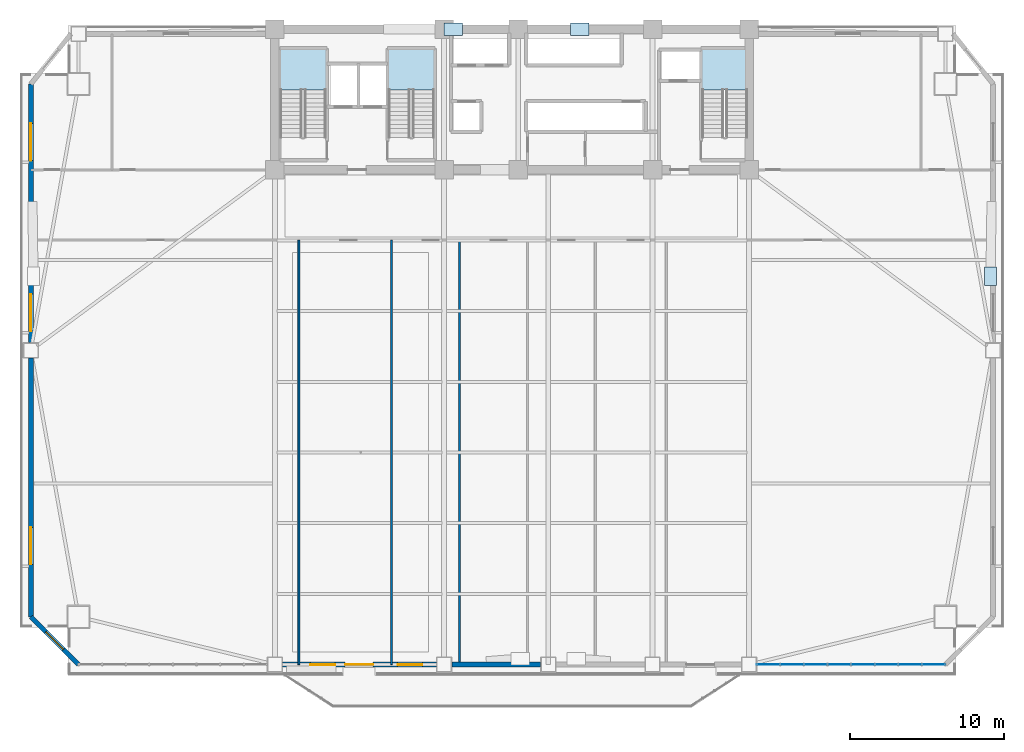
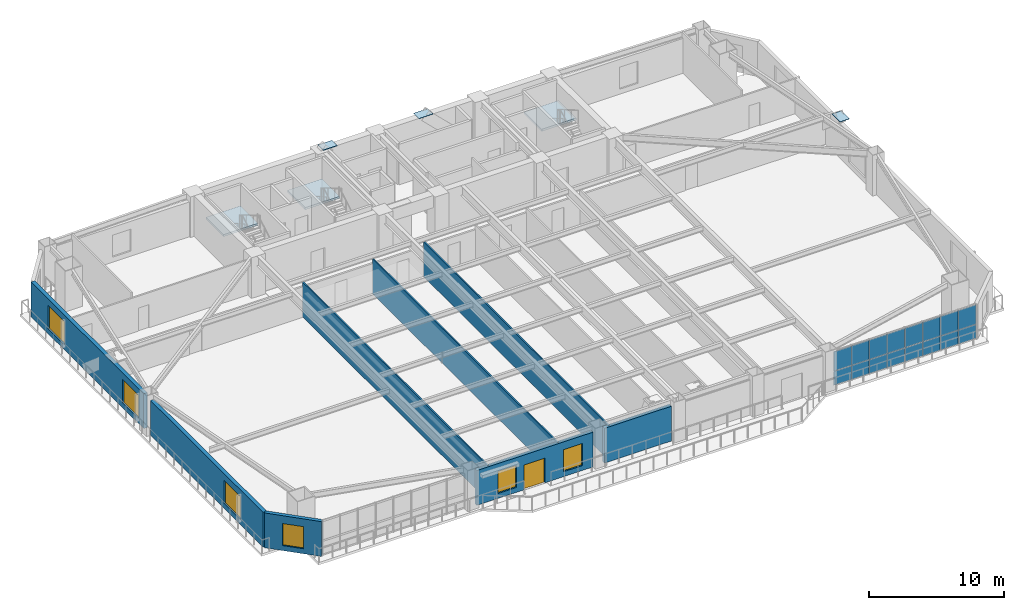
# One storey, part 7 of 16: 19 plates, 8 walls, 6 windows, 3 slabs, 1 door, 7 openings, 4 elements without a shape of their own.
"""IFC4 building model written with IfcOpenShell, lengths in metres."""

from ifc_helpers import new_model, si_unit, direction, frame, frame_2d, origin, origin_2d, place, context, subcontext, project, spatial, polyline, rectangle, outline, extrude, source, transform, mapped, material, layer, layer_set, type_object, element, fill, aggregate, save


model = new_model("IFC4")

# Units and contexts
model_context = context("Model", 3, precision=1e-05, world=origin(), true_north=direction((0.0, 1.0)))
body_context = subcontext(model_context, "Body", "Model", "MODEL_VIEW")
ifc_project = project(units=[si_unit("LENGTHUNIT", "METRE"), si_unit("AREAUNIT", "SQUARE_METRE"), si_unit("VOLUMEUNIT", "CUBIC_METRE"), si_unit("PLANEANGLEUNIT", "RADIAN"), si_unit("MASSUNIT", "GRAM", prefix="KILO")], contexts=[model_context])

# Site, building, storey
site_placement = place(None, origin())
site = spatial("IfcSite", under=ifc_project, at=site_placement, CompositionType="ELEMENT")
building_placement = place(site_placement, origin())
building = spatial("IfcBuilding", under=site, at=building_placement, Name="Giltprow Tower", CompositionType="ELEMENT")
storey_placement = place(building_placement, frame((0.0, 0.0, 79.60009765625)))
storey = spatial("IfcBuildingStorey", under=building, at=storey_placement, Name="L19", CompositionType="ELEMENT", Elevation=79.60009765625)

# Stair, slab
ifc_material_1 = material(Name="Concrete C40", Category="concrete")
stair_type_1 = type_object("IfcStairType", Name="STR-ST-1", PredefinedType="HALF_TURN_STAIR", material=ifc_material_1)
stair_1_placement = place(storey_placement, origin())
stair_1 = element("IfcStair", 1, at=stair_1_placement, inside=storey, type_object=stair_type_1, Name="L19 Core Exit Stair ST-1", PredefinedType="HALF_TURN_STAIR")
ifc_layer_1 = layer(ifc_material_1, 0.179931640625, Name="Concrete C40")
ifc_layer_set_1 = layer_set([ifc_layer_1], Name="Concrete C40")
slab_type_1 = type_object("IfcSlabType", Name="SLD-ST-1", PredefinedType="LANDING", material=ifc_layer_set_1)
slab_1_placement = place(storey_placement, frame((0.0, 0.0, 1.77001953125)))
slab_1 = element("IfcSlab", 2, at=slab_1_placement, type_object=slab_type_1, Name="ST-1 landing 1", PredefinedType="LANDING", context=body_context, shape_type="SweptSolid", body=[
    extrude(outline(polyline([(23.159912109375, 42.6298828125), (23.159912109375, 45.25), (20.199951171875, 45.25), (20.199951171875, 42.6298828125), (23.159912109375, 42.6298828125)])), origin(), (0.0, 0.0, 1.0), 0.179931640625),
])
aggregate(stair_1, [slab_1])

stair_type_2 = type_object("IfcStairType", Name="STR-ST-2", PredefinedType="HALF_TURN_STAIR", material=ifc_material_1)
stair_2_placement = place(storey_placement, origin())
stair_2 = element("IfcStair", 3, at=stair_2_placement, inside=storey, type_object=stair_type_2, Name="L19 Core Exit Stair ST-2", PredefinedType="HALF_TURN_STAIR")
ifc_layer_2 = layer(ifc_material_1, 0.18798828125, Name="Concrete C40")
ifc_layer_set_2 = layer_set([ifc_layer_2], Name="Concrete C40")
slab_type_2 = type_object("IfcSlabType", Name="SLD-ST-2", PredefinedType="LANDING", material=ifc_layer_set_2)
slab_2_placement = place(storey_placement, frame((0.0, 0.0, 1.761962890625)))
slab_2 = element("IfcSlab", 4, at=slab_2_placement, type_object=slab_type_2, Name="ST-2 landing 1", PredefinedType="LANDING", context=body_context, shape_type="SweptSolid", body=[
    extrude(outline(polyline([(30.159912109375, 42.6298828125), (30.159912109375, 45.25), (27.199951171875, 45.25), (27.199951171875, 42.6298828125), (30.159912109375, 42.6298828125)])), origin(), (0.0, 0.0, 1.0), 0.18798828125),
])
aggregate(stair_2, [slab_2])

stair_type_3 = type_object("IfcStairType", Name="STR-ST-3", PredefinedType="HALF_TURN_STAIR", material=ifc_material_1)
stair_3_placement = place(storey_placement, origin())
stair_3 = element("IfcStair", 5, at=stair_3_placement, inside=storey, type_object=stair_type_3, Name="L19 Core Exit Stair ST-3", PredefinedType="HALF_TURN_STAIR")
ifc_layer_3 = layer(ifc_material_1, 0.196044921875, Name="Concrete C40")
ifc_layer_set_3 = layer_set([ifc_layer_3], Name="Concrete C40")
slab_type_3 = type_object("IfcSlabType", Name="SLD-ST-3", PredefinedType="LANDING", material=ifc_layer_set_3)
slab_3_placement = place(storey_placement, frame((0.0, 0.0, 1.75390625)))
slab_3 = element("IfcSlab", 6, at=slab_3_placement, type_object=slab_type_3, Name="ST-3 landing 1", PredefinedType="LANDING", context=body_context, shape_type="SweptSolid", body=[
    extrude(outline(polyline([(50.4599609375, 42.6298828125), (50.4599609375, 45.25), (47.5, 45.25), (47.5, 42.6298828125), (50.4599609375, 42.6298828125)])), origin(), (0.0, 0.0, 1.0), 0.196044921875),
])
aggregate(stair_3, [slab_3])

# Plates
ifc_material_2 = material(Name="Structural steel Q420GJC", Category="steel")
plate_type_1 = type_object("IfcPlateType", Name="PLT-CAP-SEAL", PredefinedType="USERDEFINED", material=ifc_material_2)
shared_shape_1 = source(origin(), body_context, "Body", "SweptSolid", [
    extrude(rectangle(XDim=1.199951171875, YDim=0.800048828125, at=origin_2d()), origin(), (0.0, 0.0, 1.0), 0.034912109375),
])
for number, where, z_axis, x_axis, name in (
    (7, (31.39306640625, 46.550048828125, 3.74267578125), (0.0, 0.0, 1.0), (1.0, 0.0, 0.0), "Mega-Brace Node L19-N-LB"),
    (8, (39.593017578125, 46.550048828125, 3.74267578125), (0.0, 0.0, 1.0), (1.0, 0.0, 0.0), "Mega-Brace Node L19-N-RB"),
    (9, (66.18896484375, 30.554931640625, 3.88232421875), (0.0, 0.0, 1.0), (0.0, 1.0, 0.0), "Mega-Brace Node L19-E-RB"),
):
    element("IfcPlate", number, at=place(storey_placement, frame(where, z_axis=z_axis, x_axis=x_axis)), inside=storey, type_object=plate_type_1, Name=name, ObjectType="SPLICE", PredefinedType="USERDEFINED", context=body_context, shape_type="MappedRepresentation", body=[
        mapped(shared_shape_1, transform((0.0, 0.0, 0.0), x_axis=(1.0, 0.0, 0.0), y_axis=(0.0, 1.0, 0.0), z_axis=(0.0, 0.0, 1.0), scale=1.0)),
    ])

# Curtain wall, plates
ifc_material_3 = material(Name="Anodized bronze", Category="metal")
ifc_layer_4 = layer(ifc_material_3, 0.179931640625, Name="Anodized bronze")
ifc_layer_set_4 = layer_set([ifc_layer_4], Name="Anodized bronze")
curtain_wall_type = type_object("IfcCurtainWallType", Name="CW-OFF-RECESSED", PredefinedType="NOTDEFINED", material=ifc_layer_set_4)
curtain_wall_placement = place(storey_placement, origin())
curtain_wall = element("IfcCurtainWall", 10, at=curtain_wall_placement, inside=storey, type_object=curtain_wall_type, Name="L19 South Recessed Curtain Wall 6", PredefinedType="NOTDEFINED")
ifc_material_4 = material(Name="Insulated glass", Category="glass")
plate_type_2 = type_object("IfcPlateType", Name="CW-PANEL-IGU-28", PredefinedType="CURTAIN_PANEL", material=ifc_material_4)
shared_shape_2 = source(origin(), body_context, "Body", "SweptSolid", [
    extrude(rectangle(XDim=1.4970703125, YDim=0.028076171875, at=origin_2d()), origin(), (0.0, 0.0, 1.0), 1.259033203125),
])
plate_1_placement = place(storey_placement, frame((51.81298828125, 5.408935546875, 0.05419921875), z_axis=(0.0, 0.0, 1.0), x_axis=(1.0, 0.0, 0.0)))
plate_1 = element("IfcPlate", 11, at=plate_1_placement, type_object=plate_type_2, Name="L19 South Recessed Curtain Wall 6 Glazing Panel 1-1", PredefinedType="CURTAIN_PANEL", context=body_context, shape_type="MappedRepresentation", body=[
    mapped(shared_shape_2, transform((0.0, 0.0, 0.0), x_axis=(1.0, 0.0, 0.0), y_axis=(0.0, 1.0, 0.0), z_axis=(0.0, 0.0, 1.0), scale=1.0)),
])
plate_2_placement = place(storey_placement, frame((53.340087890625, 5.408935546875, 0.05419921875), z_axis=(0.0, 0.0, 1.0), x_axis=(1.0, 0.0, 0.0)))
plate_2 = element("IfcPlate", 12, at=plate_2_placement, type_object=plate_type_2, Name="L19 South Recessed Curtain Wall 6 Glazing Panel 2-1", PredefinedType="CURTAIN_PANEL", context=body_context, shape_type="MappedRepresentation", body=[
    mapped(shared_shape_2, transform((0.0, 0.0, 0.0), x_axis=(1.0, 0.0, 0.0), y_axis=(0.0, 1.0, 0.0), z_axis=(0.0, 0.0, 1.0), scale=1.0)),
])
plate_3_placement = place(storey_placement, frame((54.866943359375, 5.408935546875, 0.05419921875), z_axis=(0.0, 0.0, 1.0), x_axis=(1.0, 0.0, 0.0)))
plate_3 = element("IfcPlate", 13, at=plate_3_placement, type_object=plate_type_2, Name="L19 South Recessed Curtain Wall 6 Glazing Panel 3-1", PredefinedType="CURTAIN_PANEL", context=body_context, shape_type="MappedRepresentation", body=[
    mapped(shared_shape_2, transform((0.0, 0.0, 0.0), x_axis=(1.0, 0.0, 0.0), y_axis=(0.0, 1.0, 0.0), z_axis=(0.0, 0.0, 1.0), scale=1.0)),
])
plate_4_placement = place(storey_placement, frame((56.39404296875, 5.408935546875, 0.05419921875), z_axis=(0.0, 0.0, 1.0), x_axis=(1.0, 0.0, 0.0)))
plate_4 = element("IfcPlate", 14, at=plate_4_placement, type_object=plate_type_2, Name="L19 South Recessed Curtain Wall 6 Glazing Panel 4-1", PredefinedType="CURTAIN_PANEL", context=body_context, shape_type="MappedRepresentation", body=[
    mapped(shared_shape_2, transform((0.0, 0.0, 0.0), x_axis=(1.0, 0.0, 0.0), y_axis=(0.0, 1.0, 0.0), z_axis=(0.0, 0.0, 1.0), scale=1.0)),
])
plate_5_placement = place(storey_placement, frame((57.9208984375, 5.408935546875, 0.05419921875), z_axis=(0.0, 0.0, 1.0), x_axis=(1.0, 0.0, 0.0)))
plate_5 = element("IfcPlate", 15, at=plate_5_placement, type_object=plate_type_2, Name="L19 South Recessed Curtain Wall 6 Glazing Panel 5-1", PredefinedType="CURTAIN_PANEL", context=body_context, shape_type="MappedRepresentation", body=[
    mapped(shared_shape_2, transform((0.0, 0.0, 0.0), x_axis=(1.0, 0.0, 0.0), y_axis=(0.0, 1.0, 0.0), z_axis=(0.0, 0.0, 1.0), scale=1.0)),
])
plate_6_placement = place(storey_placement, frame((59.447998046875, 5.408935546875, 0.05419921875), z_axis=(0.0, 0.0, 1.0), x_axis=(1.0, 0.0, 0.0)))
plate_6 = element("IfcPlate", 16, at=plate_6_placement, type_object=plate_type_2, Name="L19 South Recessed Curtain Wall 6 Glazing Panel 6-1", PredefinedType="CURTAIN_PANEL", context=body_context, shape_type="MappedRepresentation", body=[
    mapped(shared_shape_2, transform((0.0, 0.0, 0.0), x_axis=(1.0, 0.0, 0.0), y_axis=(0.0, 1.0, 0.0), z_axis=(0.0, 0.0, 1.0), scale=1.0)),
])
plate_7_placement = place(storey_placement, frame((60.97509765625, 5.408935546875, 0.05419921875), z_axis=(0.0, 0.0, 1.0), x_axis=(1.0, 0.0, 0.0)))
plate_7 = element("IfcPlate", 17, at=plate_7_placement, type_object=plate_type_2, Name="L19 South Recessed Curtain Wall 6 Glazing Panel 7-1", PredefinedType="CURTAIN_PANEL", context=body_context, shape_type="MappedRepresentation", body=[
    mapped(shared_shape_2, transform((0.0, 0.0, 0.0), x_axis=(1.0, 0.0, 0.0), y_axis=(0.0, 1.0, 0.0), z_axis=(0.0, 0.0, 1.0), scale=1.0)),
])
plate_8_placement = place(storey_placement, frame((62.501953125, 5.408935546875, 0.05419921875), z_axis=(0.0, 0.0, 1.0), x_axis=(1.0, 0.0, 0.0)))
plate_8 = element("IfcPlate", 18, at=plate_8_placement, type_object=plate_type_2, Name="L19 South Recessed Curtain Wall 6 Glazing Panel 8-1", PredefinedType="CURTAIN_PANEL", context=body_context, shape_type="MappedRepresentation", body=[
    mapped(shared_shape_2, transform((0.0, 0.0, 0.0), x_axis=(1.0, 0.0, 0.0), y_axis=(0.0, 1.0, 0.0), z_axis=(0.0, 0.0, 1.0), scale=1.0)),
])
shared_shape_3 = source(origin(), body_context, "Body", "SweptSolid", [
    extrude(rectangle(XDim=1.4970703125, YDim=0.028076171875, at=origin_2d()), origin(), (0.0, 0.0, 1.0), 1.764892578125),
])
plate_9_placement = place(storey_placement, frame((51.81298828125, 5.408935546875, 1.34033203125), z_axis=(0.0, 0.0, 1.0), x_axis=(1.0, 0.0, 0.0)))
plate_9 = element("IfcPlate", 19, at=plate_9_placement, type_object=plate_type_2, Name="L19 South Recessed Curtain Wall 6 Glazing Panel 1-2", PredefinedType="CURTAIN_PANEL", context=body_context, shape_type="MappedRepresentation", body=[
    mapped(shared_shape_3, transform((0.0, 0.0, 0.0), x_axis=(1.0, 0.0, 0.0), y_axis=(0.0, 1.0, 0.0), z_axis=(0.0, 0.0, 1.0), scale=1.0)),
])
plate_10_placement = place(storey_placement, frame((53.340087890625, 5.408935546875, 1.34033203125), z_axis=(0.0, 0.0, 1.0), x_axis=(1.0, 0.0, 0.0)))
plate_10 = element("IfcPlate", 20, at=plate_10_placement, type_object=plate_type_2, Name="L19 South Recessed Curtain Wall 6 Glazing Panel 2-2", PredefinedType="CURTAIN_PANEL", context=body_context, shape_type="MappedRepresentation", body=[
    mapped(shared_shape_3, transform((0.0, 0.0, 0.0), x_axis=(1.0, 0.0, 0.0), y_axis=(0.0, 1.0, 0.0), z_axis=(0.0, 0.0, 1.0), scale=1.0)),
])
plate_11_placement = place(storey_placement, frame((54.866943359375, 5.408935546875, 1.34033203125), z_axis=(0.0, 0.0, 1.0), x_axis=(1.0, 0.0, 0.0)))
plate_11 = element("IfcPlate", 21, at=plate_11_placement, type_object=plate_type_2, Name="L19 South Recessed Curtain Wall 6 Glazing Panel 3-2", PredefinedType="CURTAIN_PANEL", context=body_context, shape_type="MappedRepresentation", body=[
    mapped(shared_shape_3, transform((0.0, 0.0, 0.0), x_axis=(1.0, 0.0, 0.0), y_axis=(0.0, 1.0, 0.0), z_axis=(0.0, 0.0, 1.0), scale=1.0)),
])
plate_12_placement = place(storey_placement, frame((56.39404296875, 5.408935546875, 1.34033203125), z_axis=(0.0, 0.0, 1.0), x_axis=(1.0, 0.0, 0.0)))
plate_12 = element("IfcPlate", 22, at=plate_12_placement, type_object=plate_type_2, Name="L19 South Recessed Curtain Wall 6 Glazing Panel 4-2", PredefinedType="CURTAIN_PANEL", context=body_context, shape_type="MappedRepresentation", body=[
    mapped(shared_shape_3, transform((0.0, 0.0, 0.0), x_axis=(1.0, 0.0, 0.0), y_axis=(0.0, 1.0, 0.0), z_axis=(0.0, 0.0, 1.0), scale=1.0)),
])
plate_13_placement = place(storey_placement, frame((57.9208984375, 5.408935546875, 1.34033203125), z_axis=(0.0, 0.0, 1.0), x_axis=(1.0, 0.0, 0.0)))
plate_13 = element("IfcPlate", 23, at=plate_13_placement, type_object=plate_type_2, Name="L19 South Recessed Curtain Wall 6 Glazing Panel 5-2", PredefinedType="CURTAIN_PANEL", context=body_context, shape_type="MappedRepresentation", body=[
    mapped(shared_shape_3, transform((0.0, 0.0, 0.0), x_axis=(1.0, 0.0, 0.0), y_axis=(0.0, 1.0, 0.0), z_axis=(0.0, 0.0, 1.0), scale=1.0)),
])
plate_14_placement = place(storey_placement, frame((59.447998046875, 5.408935546875, 1.34033203125), z_axis=(0.0, 0.0, 1.0), x_axis=(1.0, 0.0, 0.0)))
plate_14 = element("IfcPlate", 24, at=plate_14_placement, type_object=plate_type_2, Name="L19 South Recessed Curtain Wall 6 Glazing Panel 6-2", PredefinedType="CURTAIN_PANEL", context=body_context, shape_type="MappedRepresentation", body=[
    mapped(shared_shape_3, transform((0.0, 0.0, 0.0), x_axis=(1.0, 0.0, 0.0), y_axis=(0.0, 1.0, 0.0), z_axis=(0.0, 0.0, 1.0), scale=1.0)),
])
plate_15_placement = place(storey_placement, frame((60.97509765625, 5.408935546875, 1.34033203125), z_axis=(0.0, 0.0, 1.0), x_axis=(1.0, 0.0, 0.0)))
plate_15 = element("IfcPlate", 25, at=plate_15_placement, type_object=plate_type_2, Name="L19 South Recessed Curtain Wall 6 Glazing Panel 7-2", PredefinedType="CURTAIN_PANEL", context=body_context, shape_type="MappedRepresentation", body=[
    mapped(shared_shape_3, transform((0.0, 0.0, 0.0), x_axis=(1.0, 0.0, 0.0), y_axis=(0.0, 1.0, 0.0), z_axis=(0.0, 0.0, 1.0), scale=1.0)),
])
plate_16_placement = place(storey_placement, frame((62.501953125, 5.408935546875, 1.34033203125), z_axis=(0.0, 0.0, 1.0), x_axis=(1.0, 0.0, 0.0)))
plate_16 = element("IfcPlate", 26, at=plate_16_placement, type_object=plate_type_2, Name="L19 South Recessed Curtain Wall 6 Glazing Panel 8-2", PredefinedType="CURTAIN_PANEL", context=body_context, shape_type="MappedRepresentation", body=[
    mapped(shared_shape_3, transform((0.0, 0.0, 0.0), x_axis=(1.0, 0.0, 0.0), y_axis=(0.0, 1.0, 0.0), z_axis=(0.0, 0.0, 1.0), scale=1.0)),
])
aggregate(curtain_wall, [plate_1, plate_9, plate_2, plate_10, plate_3, plate_11, plate_4, plate_12, plate_5, plate_13, plate_6, plate_14, plate_7, plate_15, plate_8, plate_16])

# Wall, opening, window
ifc_material_5 = material(Name="Precast concrete C40", Category="concrete")
ifc_layer_5 = layer(ifc_material_5, 0.300048828125, Name="Precast concrete C40")
ifc_layer_set_5 = layer_set([ifc_layer_5], Name="Precast concrete C40")
wall_type_1 = type_object("IfcWallType", Name="EW-NOTCH-CHAMFER-300", PredefinedType="SOLIDWALL", material=ifc_layer_set_5)
wall_1_placement = place(storey_placement, frame((4.0400390625, 8.5048828125, 0.0), z_axis=(0.0, 0.0, 1.0), x_axis=(0.707106781187, -0.707106781187, 0.0)))
wall_1 = element("IfcWall", 27, at=wall_1_placement, inside=storey, type_object=wall_type_1, Name="L19 Corner Notch Wall SW", PredefinedType="SOLIDWALL", context=body_context, shape_type="SweptSolid", body=[
    extrude(rectangle(XDim=4.37841796875, YDim=0.300048828125, at=frame_2d((2.189208984375, 0.0))), origin(), (0.0, 0.0, 1.0), 3.159912109375),
])
opening_1_placement = place(wall_1_placement, frame((1.388916015625, 0.0, 0.449951171875)))
opening_1 = element("IfcOpeningElement", 28, at=opening_1_placement, cuts=wall_1, Name="Opening WN17", PredefinedType="OPENING", context=body_context, shape_type="SweptSolid", body=[
    extrude(rectangle(XDim=1.60009765625, YDim=2.0, at=frame_2d((0.800048828125, 1.0))), frame((0.0, 0.159912109375, 0.0), z_axis=(0.0, -1.0, 0.0), x_axis=(1.0, 0.0, 0.0)), (0.0, 0.0, 1.0), 0.320068359375),
])
window_type_1 = type_object("IfcWindowType", Name="WN-COR-1600x2000", PartitioningType="SINGLE_PANEL", PredefinedType="WINDOW", material=ifc_material_4)
shared_shape_4 = source(origin(), body_context, "Body", "SweptSolid", [
    extrude(rectangle(XDim=1.60009765625, YDim=2.0, at=frame_2d((0.800048828125, 1.0))), frame((0.0, 0.030029296875, 0.0), z_axis=(0.0, -1.0, 0.0), x_axis=(1.0, 0.0, 0.0)), (0.0, 0.0, 1.0), 0.06005859375),
])
window_1_placement = place(opening_1_placement, origin())
window_1 = element("IfcWindow", 29, at=window_1_placement, inside=storey, type_object=window_type_1, Name="L19 Corner Notch Window SW", OverallHeight=2.0, OverallWidth=1.60009765625, PartitioningType="SINGLE_PANEL", PredefinedType="WINDOW", context=body_context, shape_type="MappedRepresentation", body=[
    mapped(shared_shape_4, transform((0.0, 0.0, 0.0), x_axis=(1.0, 0.0, 0.0), y_axis=(0.0, 1.0, 0.0), z_axis=(0.0, 0.0, 1.0), scale=1.0)),
])
fill(opening_1, window_1)

# Wall, openings, windows, door
ifc_layer_6 = layer(ifc_material_5, 0.320068359375, Name="Precast concrete C40")
ifc_layer_set_6 = layer_set([ifc_layer_6], Name="Precast concrete C40")
wall_type_2 = type_object("IfcWallType", Name="EW-TOW-STONE-320", PredefinedType="SOLIDWALL", material=ifc_layer_set_6)
wall_2_placement = place(storey_placement, frame((20.35009765625, 5.408935546875, 0.0), z_axis=(0.0, 0.0, 1.0), x_axis=(1.0, 0.0, 0.0)))
wall_2 = element("IfcWall", 30, at=wall_2_placement, inside=storey, type_object=wall_type_2, Name="L19 South Expressed Frame Wall 2", PredefinedType="SOLIDWALL", context=body_context, shape_type="SweptSolid", body=[
    extrude(rectangle(XDim=9.949951171875, YDim=0.320068359375, at=frame_2d((4.97509765625, 0.0))), origin(), (0.0, 0.0, 1.0), 3.159912109375),
])
opening_2_placement = place(wall_2_placement, frame((4.050048828125, 0.0, 0.0)))
opening_2 = element("IfcOpeningElement", 31, at=opening_2_placement, cuts=wall_2, Name="Opening ED25", PredefinedType="OPENING", context=body_context, shape_type="SweptSolid", body=[
    extrude(rectangle(XDim=1.800048828125, YDim=2.25, at=frame_2d((0.89990234375, 1.125))), frame((0.0, 0.169921875, 0.0), z_axis=(0.0, -1.0, 0.0), x_axis=(1.0, 0.0, 0.0)), (0.0, 0.0, 1.0), 0.340087890625),
])
opening_3_placement = place(wall_2_placement, frame((1.794921875, 0.0, 0.449951171875)))
opening_3 = element("IfcOpeningElement", 32, at=opening_3_placement, cuts=wall_2, Name="Opening WN17", PredefinedType="OPENING", context=body_context, shape_type="SweptSolid", body=[
    extrude(rectangle(XDim=1.60009765625, YDim=2.0, at=frame_2d((0.800048828125, 1.0))), frame((0.0, 0.169921875, 0.0), z_axis=(0.0, -1.0, 0.0), x_axis=(1.0, 0.0, 0.0)), (0.0, 0.0, 1.0), 0.340087890625),
])
opening_4_placement = place(wall_2_placement, frame((7.449951171875, 0.0, 0.449951171875)))
opening_4 = element("IfcOpeningElement", 33, at=opening_4_placement, cuts=wall_2, Name="Opening WN17", PredefinedType="OPENING", context=body_context, shape_type="SweptSolid", body=[
    extrude(rectangle(XDim=1.60009765625, YDim=2.0, at=frame_2d((0.800048828125, 1.0))), frame((0.0, 0.169921875, 0.0), z_axis=(0.0, -1.0, 0.0), x_axis=(1.0, 0.0, 0.0)), (0.0, 0.0, 1.0), 0.340087890625),
])
window_2_placement = place(opening_3_placement, origin())
window_2 = element("IfcWindow", 34, at=window_2_placement, inside=storey, type_object=window_type_1, Name="L19 South Window 2A", OverallHeight=2.0, OverallWidth=1.60009765625, PartitioningType="SINGLE_PANEL", PredefinedType="WINDOW", context=body_context, shape_type="MappedRepresentation", body=[
    mapped(shared_shape_4, transform((0.0, 0.0, 0.0), x_axis=(1.0, 0.0, 0.0), y_axis=(0.0, 1.0, 0.0), z_axis=(0.0, 0.0, 1.0), scale=1.0)),
])
fill(opening_3, window_2)
window_3_placement = place(opening_4_placement, origin())
window_3 = element("IfcWindow", 35, at=window_3_placement, inside=storey, type_object=window_type_1, Name="L19 South Window 2B", OverallHeight=2.0, OverallWidth=1.60009765625, PartitioningType="SINGLE_PANEL", PredefinedType="WINDOW", context=body_context, shape_type="MappedRepresentation", body=[
    mapped(shared_shape_4, transform((0.0, 0.0, 0.0), x_axis=(1.0, 0.0, 0.0), y_axis=(0.0, 1.0, 0.0), z_axis=(0.0, 0.0, 1.0), scale=1.0)),
])
fill(opening_4, window_3)
ifc_material_6 = material(Name="Anodized bronze and glass", Category="glass")
door_type = type_object("IfcDoorType", Name="DR-BALC-SLIDE-1800", OperationType="SLIDING_TO_LEFT", PredefinedType="DOOR", material=ifc_material_6)
shared_shape_5 = source(origin(), body_context, "Body", "SweptSolid", [
    extrude(rectangle(XDim=1.800048828125, YDim=2.25, at=frame_2d((0.89990234375, 1.125))), frame((0.0, 0.02490234375, 0.0), z_axis=(0.0, -1.0, 0.0), x_axis=(1.0, 0.0, 0.0)), (0.0, 0.0, 1.0), 0.050048828125),
])
door_placement = place(opening_2_placement, origin())
door = element("IfcDoor", 36, at=door_placement, inside=storey, type_object=door_type, Name="L19 Waterfront Balcony Sliding Door 1", OperationType="SLIDING_TO_LEFT", OverallHeight=2.25, OverallWidth=1.800048828125, PredefinedType="DOOR", context=body_context, shape_type="MappedRepresentation", body=[
    mapped(shared_shape_5, transform((0.0, 0.0, 0.0), x_axis=(1.0, 0.0, 0.0), y_axis=(0.0, 1.0, 0.0), z_axis=(0.0, 0.0, 1.0), scale=1.0)),
])
fill(opening_2, door)

# Wall
wall_3_placement = place(storey_placement, frame((31.300048828125, 5.408935546875, 0.0), z_axis=(0.0, 0.0, 1.0), x_axis=(1.0, 0.0, 0.0)))
element("IfcWall", 37, at=wall_3_placement, inside=storey, type_object=wall_type_2, Name="L19 South Expressed Frame Wall 3", PredefinedType="SOLIDWALL", context=body_context, shape_type="SweptSolid", body=[
    extrude(rectangle(XDim=5.75, YDim=0.320068359375, at=frame_2d((2.875, 0.0))), origin(), (0.0, 0.0, 1.0), 3.159912109375),
])

# Wall, opening, window
wall_4_placement = place(storey_placement, frame((4.0400390625, 8.5048828125, 0.0), z_axis=(0.0, 0.0, 1.0), x_axis=(0.0, 1.0, 0.0)))
wall_4 = element("IfcWall", 38, at=wall_4_placement, inside=storey, type_object=wall_type_2, Name="L19 W Wing Masonry Wall 1", PredefinedType="SOLIDWALL", context=body_context, shape_type="SweptSolid", body=[
    extrude(rectangle(XDim=16.75, YDim=0.320068359375, at=frame_2d((8.375, 0.0))), origin(), (0.0, 0.0, 1.0), 3.159912109375),
])
opening_5_placement = place(wall_4_placement, frame((3.39501953125, 0.0, 0.449951171875)))
opening_5 = element("IfcOpeningElement", 39, at=opening_5_placement, cuts=wall_4, Name="Opening WN29", PredefinedType="OPENING", context=body_context, shape_type="SweptSolid", body=[
    extrude(rectangle(XDim=2.39990234375, YDim=2.10009765625, at=frame_2d((1.199951171875, 1.050048828125))), frame((0.0, 0.169921875, 0.0), z_axis=(0.0, -1.0, 0.0), x_axis=(1.0, 0.0, 0.0)), (0.0, 0.0, 1.0), 0.340087890625),
])
window_type_2 = type_object("IfcWindowType", Name="WN-OFF-2400x2100", PartitioningType="DOUBLE_PANEL_VERTICAL", PredefinedType="WINDOW", material=ifc_material_4)
shared_shape_6 = source(origin(), body_context, "Body", "SweptSolid", [
    extrude(rectangle(XDim=2.39990234375, YDim=2.10009765625, at=frame_2d((1.199951171875, 1.050048828125))), frame((0.0, 0.030029296875, 0.0), z_axis=(0.0, -1.0, 0.0), x_axis=(1.0, 0.0, 0.0)), (0.0, 0.0, 1.0), 0.06005859375),
])
window_4_placement = place(opening_5_placement, origin())
window_4 = element("IfcWindow", 40, at=window_4_placement, inside=storey, type_object=window_type_2, Name="L19 W Wing Window 1-1A", OverallHeight=2.10009765625, OverallWidth=2.39990234375, PartitioningType="SINGLE_PANEL", PredefinedType="WINDOW", context=body_context, shape_type="MappedRepresentation", body=[
    mapped(shared_shape_6, transform((0.0, 0.0, 0.0), x_axis=(1.0, 0.0, 0.0), y_axis=(0.0, 1.0, 0.0), z_axis=(0.0, 0.0, 1.0), scale=1.0)),
])
fill(opening_5, window_4)

# Wall, openings, windows
wall_5_placement = place(storey_placement, frame((4.0400390625, 26.2548828125, 0.0), z_axis=(0.0, 0.0, 1.0), x_axis=(0.0, 1.0, 0.0)))
wall_5 = element("IfcWall", 41, at=wall_5_placement, inside=storey, type_object=wall_type_2, Name="L19 W Wing Masonry Wall 2", PredefinedType="SOLIDWALL", context=body_context, shape_type="SweptSolid", body=[
    extrude(rectangle(XDim=16.7490234375, YDim=0.320068359375, at=frame_2d((8.37451171875, 0.0))), origin(), (0.0, 0.0, 1.0), 3.159912109375),
])
opening_6_placement = place(wall_5_placement, frame((0.75, 0.0, 0.449951171875)))
opening_6 = element("IfcOpeningElement", 42, at=opening_6_placement, cuts=wall_5, Name="Opening WN29", PredefinedType="OPENING", context=body_context, shape_type="SweptSolid", body=[
    extrude(rectangle(XDim=2.39990234375, YDim=2.10009765625, at=frame_2d((1.199951171875, 1.050048828125))), frame((0.0, 0.169921875, 0.0), z_axis=(0.0, -1.0, 0.0), x_axis=(1.0, 0.0, 0.0)), (0.0, 0.0, 1.0), 0.340087890625),
])
opening_7_placement = place(wall_5_placement, frame((11.79296875, 0.0, 0.449951171875)))
opening_7 = element("IfcOpeningElement", 43, at=opening_7_placement, cuts=wall_5, Name="Opening WN29", PredefinedType="OPENING", context=body_context, shape_type="SweptSolid", body=[
    extrude(rectangle(XDim=2.39990234375, YDim=2.10009765625, at=frame_2d((1.199951171875, 1.050048828125))), frame((0.0, 0.169921875, 0.0), z_axis=(0.0, -1.0, 0.0), x_axis=(1.0, 0.0, 0.0)), (0.0, 0.0, 1.0), 0.340087890625),
])
window_5_placement = place(opening_6_placement, origin())
window_5 = element("IfcWindow", 44, at=window_5_placement, inside=storey, type_object=window_type_2, Name="L19 W Wing Window 2-1", OverallHeight=2.10009765625, OverallWidth=2.39990234375, PartitioningType="SINGLE_PANEL", PredefinedType="WINDOW", context=body_context, shape_type="MappedRepresentation", body=[
    mapped(shared_shape_6, transform((0.0, 0.0, 0.0), x_axis=(1.0, 0.0, 0.0), y_axis=(0.0, 1.0, 0.0), z_axis=(0.0, 0.0, 1.0), scale=1.0)),
])
fill(opening_6, window_5)
window_6_placement = place(opening_7_placement, origin())
window_6 = element("IfcWindow", 45, at=window_6_placement, inside=storey, type_object=window_type_2, Name="L19 W Wing Window 2-2", OverallHeight=2.10009765625, OverallWidth=2.39990234375, PartitioningType="SINGLE_PANEL", PredefinedType="WINDOW", context=body_context, shape_type="MappedRepresentation", body=[
    mapped(shared_shape_6, transform((0.0, 0.0, 0.0), x_axis=(1.0, 0.0, 0.0), y_axis=(0.0, 1.0, 0.0), z_axis=(0.0, 0.0, 1.0), scale=1.0)),
])
fill(opening_7, window_6)

# Walls
ifc_material_7 = material(Name="Gypsum stud partition", Category="gypsum")
ifc_layer_7 = layer(ifc_material_7, 0.1201171875, Name="Gypsum stud partition")
ifc_layer_set_7 = layer_set([ifc_layer_7], Name="Gypsum stud partition")
wall_type_3 = type_object("IfcWallType", Name="IW-ROOM-120", PredefinedType="PARTITIONING", material=ifc_layer_set_7)
for number, where, z_axis, x_axis, name in (
    (46, (21.39990234375, 5.408935546875, 0.0), (0.0, 0.0, 1.0), (0.0, 1.0, 0.0), "L19 Office Partition 1"),
    (47, (27.39990234375, 5.408935546875, 0.0), (0.0, 0.0, 1.0), (0.0, 1.0, 0.0), "L19 Office Partition 2"),
    (48, (31.800048828125, 5.408935546875, 0.0), (0.0, 0.0, 1.0), (0.0, 1.0, 0.0), "L19 Office Partition 3"),
):
    element("IfcWall", number, at=place(storey_placement, frame(where, z_axis=z_axis, x_axis=x_axis)), inside=storey, type_object=wall_type_3, Name=name, PredefinedType="PARTITIONING", context=body_context, shape_type="SweptSolid", body=[
        extrude(rectangle(XDim=27.490966796875, YDim=0.1201171875, at=frame_2d((13.74560546875, 0.0))), origin(), (0.0, 0.0, 1.0), 3.164794921875),
    ])

save(model, "model.ifc")
